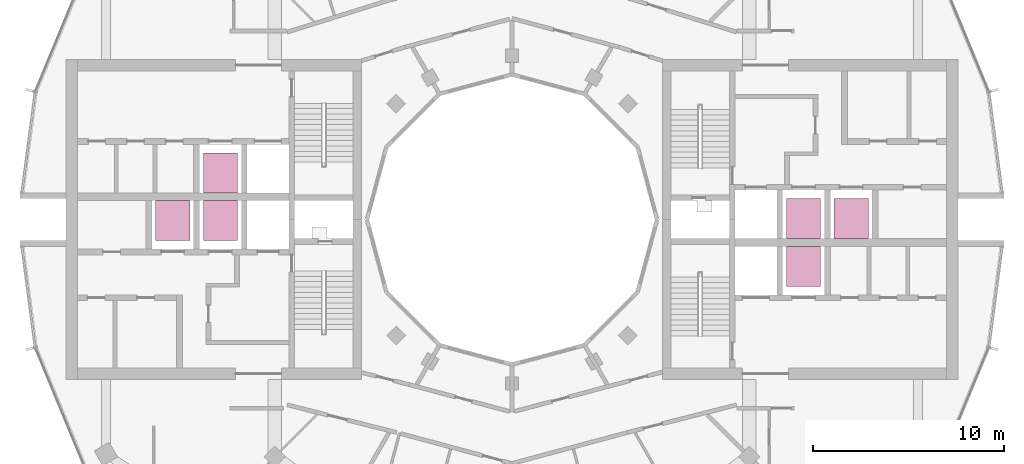
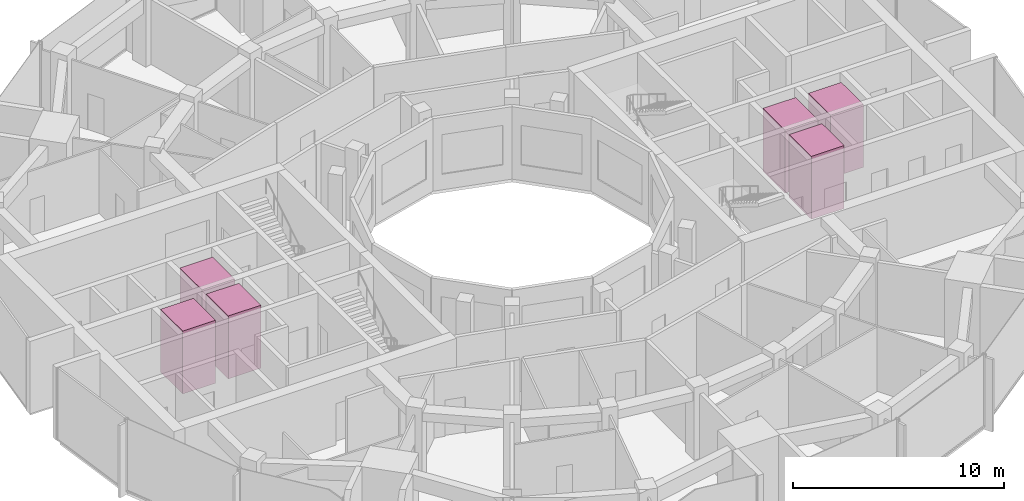
# One storey, part 15 of 15: 6 transport elements.
"""IFC4 building model written with IfcOpenShell, lengths in metres."""

from ifc_helpers import new_model, si_unit, direction, frame, origin, origin_2d, place, context, subcontext, project, spatial, rectangle, extrude, material, type_object, element, save


model = new_model("IFC4")

# Units and contexts
model_context = context("Model", 3, precision=1e-05, world=origin(), true_north=direction((0.0, 1.0)))
body_context = subcontext(model_context, "Body", "Model", "MODEL_VIEW")
ifc_project = project(units=[si_unit("LENGTHUNIT", "METRE"), si_unit("AREAUNIT", "SQUARE_METRE"), si_unit("VOLUMEUNIT", "CUBIC_METRE"), si_unit("PLANEANGLEUNIT", "RADIAN"), si_unit("MASSUNIT", "GRAM", prefix="KILO")], contexts=[model_context])

# Site, building, storey
site_placement = place(None, origin())
site = spatial("IfcSite", under=ifc_project, at=site_placement, CompositionType="ELEMENT")
building_placement = place(site_placement, origin())
building = spatial("IfcBuilding", under=site, at=building_placement, Name="Torre Brocal", CompositionType="ELEMENT")
storey_placement = place(building_placement, frame((0.0, 0.0, 220.89990234375)))
storey = spatial("IfcBuildingStorey", under=building, at=storey_placement, Name="L51", CompositionType="ELEMENT", Elevation=220.89990234375)

# Transport elements
ifc_material = material(Name="Stainless steel AISI 316", Category="steel")
transport_element_type = type_object("IfcTransportElementType", Name="PASSENGER LIFT", PredefinedType="ELEVATOR", material=ifc_material)
for number, where, z_axis, x_axis, name in (
    (1, (95.300048828125, 75.050048828125, 0.000244140625), (0.0, 0.0, 1.0), (1.0, 0.0, 0.0), "HIGH RISE LIFT E-HR1"),
    (2, (95.300048828125, 72.550048828125, 0.000244140625), (0.0, 0.0, 1.0), (1.0, 0.0, 0.0), "HIGH RISE LIFT E-HR2"),
    (3, (97.800048828125, 75.050048828125, 0.000244140625), (0.0, 0.0, 1.0), (1.0, 0.0, 0.0), "HIGH RISE LIFT E-HR3"),
    (4, (64.699951171875, 74.949951171875, 0.000244140625), (0.0, 0.0, 1.0), (1.0, 0.0, 0.0), "HIGH RISE LIFT W-HR1"),
    (5, (64.699951171875, 77.449951171875, 0.000244140625), (0.0, 0.0, 1.0), (1.0, 0.0, 0.0), "HIGH RISE LIFT W-HR2"),
    (6, (62.199951171875, 74.949951171875, 0.000244140625), (0.0, 0.0, 1.0), (1.0, 0.0, 0.0), "HIGH RISE LIFT W-HR3"),
):
    element("IfcTransportElement", number, at=place(storey_placement, frame(where, z_axis=z_axis, x_axis=x_axis)), inside=storey, type_object=transport_element_type, Name=name, PredefinedType="ELEVATOR", context=body_context, shape_type="SweptSolid", body=[
        extrude(rectangle(XDim=1.800048828125, YDim=2.10009765625, at=origin_2d()), origin(), (0.0, 0.0, 1.0), 3.64990234375),
    ])

save(model, "model.ifc")
